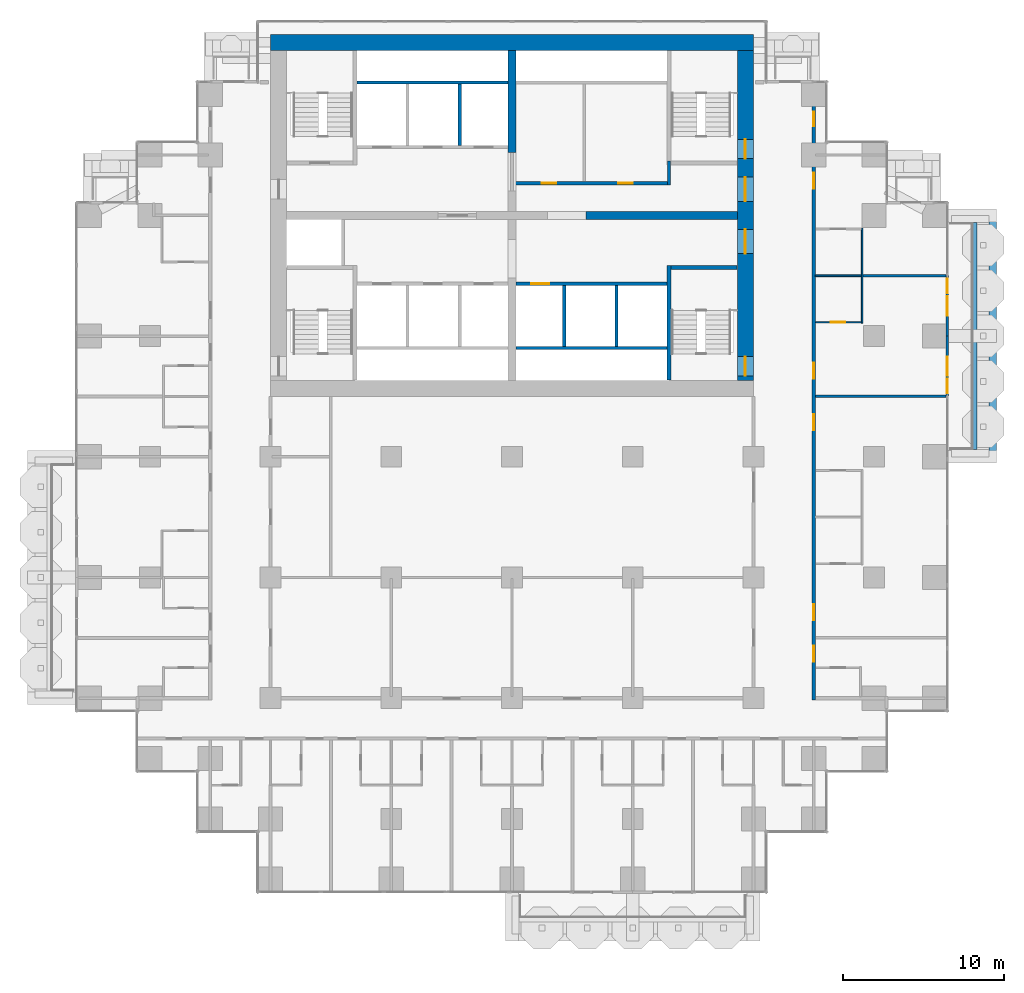
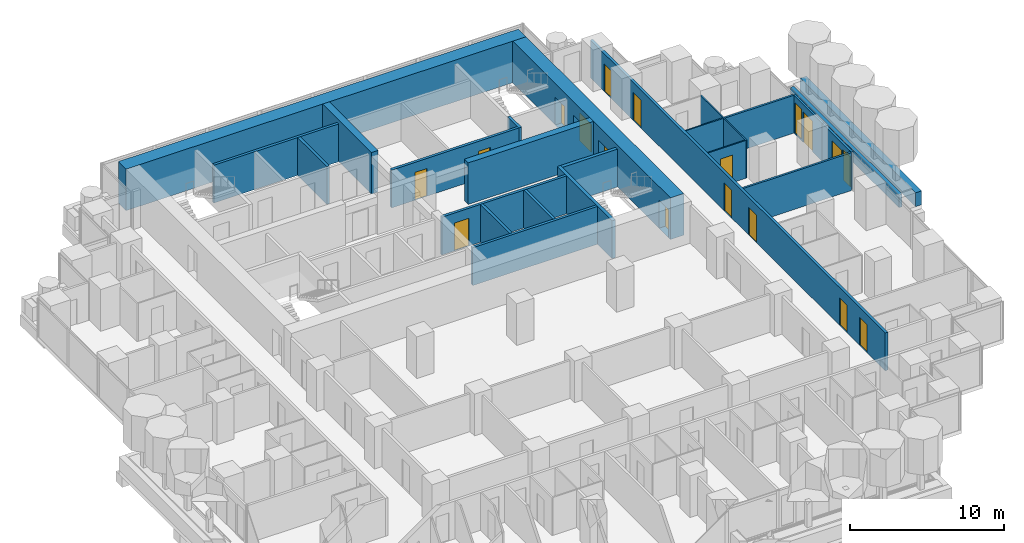
# One storey, part 15 of 19: 24 walls, 16 doors, 2 windows, 18 openings.
"""IFC4 building model written with IfcOpenShell, lengths in metres."""

import ifcopenshell
import ifcopenshell.guid

model = None  # the IFC model being written
_history = None  # IfcOwnerHistory: only IFC2X3 demands one
_inside = {}  # id of a spatial element -> (the spatial element, [elements in it])
_under = {}  # id of a project, library or spatial element -> (it, [spatial elements below it])
_declared = {}  # id of a project -> (the project, [libraries it declares])
_typed = {}  # id of a type object -> (the type object, [elements of that type])
_made_of = {}  # id of a material, layer set ... -> (it, [elements and type objects made of it])


def new_model(schema):
    """Start an empty IFC model of exactly this schema.

    Asked for "IFC4X3", IfcOpenShell would pick the latest addendum, in which some entities
    have other attributes; the version numbers below select the first issue.
    IFC2X3 requires an IfcOwnerHistory on every rooted entity: one is made here for all.
    """
    global model, _history
    if schema == "IFC4X3":
        model = ifcopenshell.file(schema_version=(4, 3, 0, 0))
    else:
        model = ifcopenshell.file(schema=schema)
    _inside.clear()
    _under.clear()
    _declared.clear()
    _typed.clear()
    _made_of.clear()
    _history = None
    if model.schema == "IFC2X3":
        org = make("IfcOrganization", Name="unknown")
        user = make(
            "IfcPersonAndOrganization",
            ThePerson=make("IfcPerson", FamilyName="unknown"),
            TheOrganization=org,
        )
        app = make(
            "IfcApplication",
            ApplicationDeveloper=org,
            Version="unknown",
            ApplicationFullName="unknown",
            ApplicationIdentifier="unknown",
        )
        _history = make(
            "IfcOwnerHistory",
            OwningUser=user,
            OwningApplication=app,
            ChangeAction="ADDED",
            CreationDate=0,
        )
    return model


def make(cls, **values):
    """One entity of the class cls with the attributes given. An attribute that is None is left unset."""
    return model.create_entity(
        cls, **{name: value for name, value in values.items() if value is not None}
    )


def rooted(cls, **values):
    """An entity with a GlobalId (a new one), such as an element, a storey or a relation."""
    return make(cls, GlobalId=ifcopenshell.guid.new(), OwnerHistory=_history, **values)


def si_unit(unit_type, name, prefix=None):
    """IfcSIUnit, for example si_unit("LENGTHUNIT", "METRE", prefix="MILLI")."""
    return make("IfcSIUnit", UnitType=unit_type, Prefix=prefix, Name=name)


def assignment(units):
    """IfcUnitAssignment: the units of a project."""
    return None if units is None else make("IfcUnitAssignment", Units=units)


def point(xyz):
    """IfcCartesianPoint."""
    return None if xyz is None else make("IfcCartesianPoint", Coordinates=xyz)


def direction(xyz):
    """IfcDirection."""
    return None if xyz is None else make("IfcDirection", DirectionRatios=xyz)


def frame(location, z_axis=None, x_axis=None):
    """IfcAxis2Placement3D, a coordinate frame: its origin and axes. An axis left out is left unset."""
    return make(
        "IfcAxis2Placement3D",
        Location=point(location),
        Axis=direction(z_axis),
        RefDirection=direction(x_axis),
    )


def frame_2d(location, x_axis=None):
    """IfcAxis2Placement2D, a coordinate frame in the plane: its origin and x axis."""
    return make(
        "IfcAxis2Placement2D", Location=point(location), RefDirection=direction(x_axis)
    )


def origin():
    """The frame at (0, 0, 0) with its axes left unset."""
    return frame((0.0, 0.0, 0.0))


def place(relative_to, where):
    """IfcLocalPlacement: puts the frame where relative to a parent placement (None: the world)."""
    return make(
        "IfcLocalPlacement", PlacementRelTo=relative_to, RelativePlacement=where
    )


def context(
    kind, dimensions, precision=None, world=None, true_north=None, identifier=None
):
    """IfcGeometricRepresentationContext, for example the 3D "Model" context."""
    return make(
        "IfcGeometricRepresentationContext",
        ContextIdentifier=identifier,
        ContextType=kind,
        CoordinateSpaceDimension=dimensions,
        Precision=precision,
        WorldCoordinateSystem=world,
        TrueNorth=true_north,
    )


def subcontext(parent, identifier, kind, view, scale=None):
    """IfcGeometricRepresentationSubContext, for example "Body" below "Model"."""
    return make(
        "IfcGeometricRepresentationSubContext",
        ContextIdentifier=identifier,
        ContextType=kind,
        ParentContext=parent,
        TargetScale=scale,
        TargetView=view,
    )


def project(units=None, contexts=None):
    """IfcProject with its units and contexts."""
    return rooted(
        "IfcProject",
        Name="project",
        RepresentationContexts=contexts,
        UnitsInContext=assignment(units),
    )


def spatial(cls, under=None, at=None, **own):
    """A site, building, storey or space (cls), placed at a placement, below another one or the project."""
    s = rooted(cls, ObjectPlacement=at, **own)
    if under is not None:
        _under.setdefault(under.id(), (under, []))[1].append(s)
    return s


def profile(cls, at=None, kind="AREA", **sizes):
    """A parametric profile (cls). Its sizes go by their IFC names, for example OverallWidth=200.0."""
    return make(cls, ProfileType=kind, Position=at, **sizes)


def rectangle(**sizes):
    """IfcRectangleProfileDef."""
    return profile("IfcRectangleProfileDef", **sizes)


def extrude(swept, where, along, depth):
    """IfcExtrudedAreaSolid: the profile swept, set in the frame where, extruded along a direction by depth."""
    return make(
        "IfcExtrudedAreaSolid",
        SweptArea=swept,
        Position=where,
        ExtrudedDirection=direction(along),
        Depth=depth,
    )


def shape(context_of_items, identifier, shape_type, items):
    """IfcShapeRepresentation: the items that make up one representation, for example the "Body"."""
    return make(
        "IfcShapeRepresentation",
        ContextOfItems=context_of_items,
        RepresentationIdentifier=identifier,
        RepresentationType=shape_type,
        Items=items,
    )


def material(Name=None, Category=None):
    """IfcMaterial."""
    return make("IfcMaterial", Name=Name, Category=Category)


def layer(
    of_material, thickness, ventilated=None, Name=None, Category=None, Priority=None
):
    """IfcMaterialLayer: one layer of a wall or slab, of a material (None: an air gap)."""
    return make(
        "IfcMaterialLayer",
        Material=of_material,
        LayerThickness=thickness,
        IsVentilated=ventilated,
        Name=Name,
        Category=Category,
        Priority=Priority,
    )


def layer_set(layers, Name=None):
    """IfcMaterialLayerSet."""
    return make("IfcMaterialLayerSet", MaterialLayers=layers, LayerSetName=Name)


def made_of(thing, what):
    """Note that an element or type object is made of a material, layer set ...; save() writes the relation."""
    if what is not None:
        _made_of.setdefault(what.id(), (what, []))[1].append(thing)
    return thing


def type_object(cls, material=None, **own):
    """A type object (cls), such as IfcWallType, which elements share."""
    return made_of(rooted(cls, **own), material)


def element(
    cls,
    number,
    at=None,
    inside=None,
    cuts=None,
    type_object=None,
    material=None,
    context=None,
    identifier="Body",
    shape_type=None,
    held_by="IfcProductDefinitionShape",
    body=None,
    shapes=None,
    **own,
):
    """One element of the class cls, such as IfcWall. Its Tag is "e" and its number.

    at: its placement. inside: the storey or other place that contains it. cuts: it is an
    opening in that element (IfcRelVoidsElement). A single representation is given by context,
    identifier, shape_type and body (its items); several are given by shapes. held_by: the class
    of the entity that holds the representations. save() writes the other relations.
    """
    e = rooted(cls, Tag="e%d" % number, ObjectPlacement=at, **own)
    if body is not None:
        shapes = [shape(context, identifier, shape_type, body)]
    if shapes is not None:
        e.Representation = make(held_by, Representations=shapes)
    if inside is not None:
        _inside.setdefault(inside.id(), (inside, []))[1].append(e)
    if cuts is not None:
        rooted(
            "IfcRelVoidsElement", RelatingBuildingElement=cuts, RelatedOpeningElement=e
        )
    if type_object is not None:
        _typed.setdefault(type_object.id(), (type_object, []))[1].append(e)
    return made_of(e, material)


def fill(opening, filler):
    """IfcRelFillsElement: the door or window that sits in an opening."""
    return rooted(
        "IfcRelFillsElement",
        RelatingOpeningElement=opening,
        RelatedBuildingElement=filler,
    )


def aggregate(whole, parts):
    """IfcRelAggregates: a whole, such as a stair, and the parts it consists of."""
    return rooted("IfcRelAggregates", RelatingObject=whole, RelatedObjects=parts)


def save(model, path):
    """Write the relations noted so far, then the file.

    IfcRelAggregates (storeys below a building ...), IfcRelContainedInSpatialStructure (elements
    in a storey), IfcRelDefinesByType, IfcRelAssociatesMaterial and IfcRelDeclares: one each for
    every whole, place, type object, material and project.
    """
    for whole, parts in _under.values():
        aggregate(whole, parts)
    for where, things in _inside.values():
        rooted(
            "IfcRelContainedInSpatialStructure",
            RelatedElements=things,
            RelatingStructure=where,
        )
    for kind, things in _typed.values():
        rooted("IfcRelDefinesByType", RelatedObjects=things, RelatingType=kind)
    for what, things in _made_of.values():
        rooted("IfcRelAssociatesMaterial", RelatedObjects=things, RelatingMaterial=what)
    for by, libraries in _declared.values():
        rooted("IfcRelDeclares", RelatingContext=by, RelatedDefinitions=libraries)
    model.write(path)


model = new_model("IFC4")

# Units and contexts
model_context = context("Model", 3, precision=1e-05, world=origin(), true_north=direction((0.0, 1.0)))
body_context = subcontext(model_context, "Body", "Model", "MODEL_VIEW")
ifc_project = project(units=[si_unit("LENGTHUNIT", "METRE"), si_unit("AREAUNIT", "SQUARE_METRE"), si_unit("VOLUMEUNIT", "CUBIC_METRE"), si_unit("PLANEANGLEUNIT", "RADIAN"), si_unit("MASSUNIT", "GRAM", prefix="KILO")], contexts=[model_context])

# Site, building, storey
site_placement = place(None, origin())
site = spatial("IfcSite", under=ifc_project, at=site_placement, CompositionType="ELEMENT")
building_placement = place(site_placement, origin())
building = spatial("IfcBuilding", under=site, at=building_placement, Name="Pilkhan Gate Tower", CompositionType="ELEMENT")
storey_placement = place(building_placement, frame((0.0, 0.0, 65.89990234375)))
storey = spatial("IfcBuildingStorey", under=building, at=storey_placement, Name="L14", CompositionType="ELEMENT", Elevation=65.89990234375)

# Walls
ifc_material_1 = material(Name="Concrete C40/50", Category="concrete")
ifc_layer_1 = layer(ifc_material_1, 0.25)
ifc_layer_set_1 = layer_set([ifc_layer_1], Name="Balcony planter BP250")
wall_type_1 = type_object("IfcWallType", Name="Balcony planter BP250", PredefinedType="USERDEFINED", material=ifc_layer_set_1)
wall_1_placement = place(storey_placement, frame((103.77490234375, 67.949951171875, 0.0), z_axis=(0.0, 0.0, 1.0), x_axis=(0.0, 1.0, 0.0)))
element("IfcWall", 1, at=wall_1_placement, inside=storey, type_object=wall_type_1, Name="Balcony planter L14 E", ObjectType="BALCONY PLANTER", PredefinedType="USERDEFINED", context=body_context, shape_type="SweptSolid", body=[
    extrude(rectangle(XDim=14.10009765625, YDim=0.25, at=frame_2d((7.050048828125, 0.0))), origin(), (0.0, 0.0, 1.0), 1.0),
])
ifc_material_2 = material(Name="Board-marked Concrete C40/50", Category="concrete")
ifc_layer_2 = layer(ifc_material_2, 0.449951171875)
ifc_layer_set_2 = layer_set([ifc_layer_2], Name="Balcony planter lip BL450")
wall_type_2 = type_object("IfcWallType", Name="Balcony planter lip BL450", PredefinedType="USERDEFINED", material=ifc_layer_set_2)
wall_2_placement = place(storey_placement, frame((104.875, 67.5, 0.0), z_axis=(0.0, 0.0, 1.0), x_axis=(0.0, 1.0, 0.0)))
element("IfcWall", 2, at=wall_2_placement, inside=storey, type_object=wall_type_2, Name="Balcony planter L14 E", ObjectType="BALCONY PLANTER", PredefinedType="USERDEFINED", context=body_context, shape_type="SweptSolid", body=[
    extrude(rectangle(XDim=15.0, YDim=0.449951171875, at=frame_2d((7.5, 0.0))), origin(), (0.0, 0.0, 1.0), 1.10009765625),
])

# Wall, openings, doors
ifc_material_3 = material(Name="Concrete C70/85", Category="concrete")
ifc_layer_3 = layer(ifc_material_3, 1.0)
ifc_layer_set_3 = layer_set([ifc_layer_3], Name="Core wall CW1000 C70/85")
wall_type_3 = type_object("IfcWallType", Name="Core wall CW1000 C70/85", PredefinedType="SHEAR", material=ifc_layer_set_3)
wall_3_placement = place(storey_placement, frame((89.5, 72.25, 0.0), z_axis=(0.0, 0.0, 1.0), x_axis=(0.0, 1.0, 0.0)))
wall_3 = element("IfcWall", 3, at=wall_3_placement, inside=storey, type_object=wall_type_3, Name="Core wall E L14", PredefinedType="SHEAR", context=body_context, shape_type="SweptSolid", body=[
    extrude(rectangle(XDim=20.5, YDim=1.0, at=frame_2d((10.25, 0.0))), origin(), (0.0, 0.0, 1.0), 3.300048828125),
])
opening_1_placement = place(wall_3_placement, frame((0.27490234375, 0.0, 0.0)))
opening_1 = element("IfcOpeningElement", 4, at=opening_1_placement, cuts=wall_3, Name="Opening L14-03", PredefinedType="OPENING", context=body_context, shape_type="SweptSolid", body=[
    extrude(rectangle(XDim=1.199951171875, YDim=2.199951171875, at=frame_2d((0.60009765625, 1.10009765625))), frame((0.0, 0.510009765625, 0.0), z_axis=(0.0, -1.0, 0.0), x_axis=(1.0, 0.0, 0.0)), (0.0, 0.0, 1.0), 1.02001953125),
])
opening_2_placement = place(wall_3_placement, frame((13.77490234375, 0.0, 0.0)))
opening_2 = element("IfcOpeningElement", 5, at=opening_2_placement, cuts=wall_3, Name="Opening L14-05", PredefinedType="OPENING", context=body_context, shape_type="SweptSolid", body=[
    extrude(rectangle(XDim=1.199951171875, YDim=2.199951171875, at=frame_2d((0.60009765625, 1.10009765625))), frame((0.0, 0.510009765625, 0.0), z_axis=(0.0, -1.0, 0.0), x_axis=(1.0, 0.0, 0.0)), (0.0, 0.0, 1.0), 1.02001953125),
])
opening_3_placement = place(wall_3_placement, frame((7.875, 0.0, 0.0)))
opening_3 = element("IfcOpeningElement", 6, at=opening_3_placement, cuts=wall_3, Name="Opening L14-48", PredefinedType="OPENING", context=body_context, shape_type="SweptSolid", body=[
    extrude(rectangle(XDim=1.5, YDim=2.199951171875, at=frame_2d((0.75, 1.10009765625))), frame((0.0, 0.510009765625, 0.0), z_axis=(0.0, -1.0, 0.0), x_axis=(1.0, 0.0, 0.0)), (0.0, 0.0, 1.0), 1.02001953125),
])
opening_4_placement = place(wall_3_placement, frame((11.125, 0.0, 0.0)))
opening_4 = element("IfcOpeningElement", 7, at=opening_4_placement, cuts=wall_3, Name="Opening L14-50", PredefinedType="OPENING", context=body_context, shape_type="SweptSolid", body=[
    extrude(rectangle(XDim=1.5, YDim=2.199951171875, at=frame_2d((0.75, 1.10009765625))), frame((0.0, 0.510009765625, 0.0), z_axis=(0.0, -1.0, 0.0), x_axis=(1.0, 0.0, 0.0)), (0.0, 0.0, 1.0), 1.02001953125),
])
ifc_material_4 = material(Name="Steel framed glazed door, 60 minute fire resisting", Category="steel")
door_type_1 = type_object("IfcDoorType", Name="Lobby door D09 1500x2200", OperationType="DOUBLE_DOOR_SINGLE_SWING", PredefinedType="DOOR", material=ifc_material_4)
door_1_placement = place(opening_3_placement, origin())
door_1 = element("IfcDoor", 8, at=door_1_placement, inside=storey, type_object=door_type_1, Name="Core door", OperationType="DOUBLE_DOOR_SINGLE_SWING", OverallHeight=2.199951171875, OverallWidth=1.5, PredefinedType="DOOR", context=body_context, shape_type="SweptSolid", body=[
    extrude(rectangle(XDim=1.5, YDim=2.199951171875, at=frame_2d((0.75, 1.10009765625))), frame((0.0, 0.02490234375, 0.0), z_axis=(0.0, -1.0, 0.0), x_axis=(1.0, 0.0, 0.0)), (0.0, 0.0, 1.0), 0.050048828125),
])
fill(opening_3, door_1)
door_2_placement = place(opening_4_placement, origin())
door_2 = element("IfcDoor", 9, at=door_2_placement, inside=storey, type_object=door_type_1, Name="Core door", OperationType="DOUBLE_DOOR_SINGLE_SWING", OverallHeight=2.199951171875, OverallWidth=1.5, PredefinedType="DOOR", context=body_context, shape_type="SweptSolid", body=[
    extrude(rectangle(XDim=1.5, YDim=2.199951171875, at=frame_2d((0.75, 1.10009765625))), frame((0.0, 0.02490234375, 0.0), z_axis=(0.0, -1.0, 0.0), x_axis=(1.0, 0.0, 0.0)), (0.0, 0.0, 1.0), 0.050048828125),
])
fill(opening_4, door_2)
ifc_material_5 = material(Name="Steel door, 120 minute fire resisting, panic bar", Category="steel")
door_type_2 = type_object("IfcDoorType", Name="Stair door D11 1200x2200", OperationType="SINGLE_SWING_LEFT", PredefinedType="DOOR", material=ifc_material_5)
door_3_placement = place(opening_1_placement, origin())
door_3 = element("IfcDoor", 10, at=door_3_placement, inside=storey, type_object=door_type_2, Name="Stair ST1 door", OperationType="SINGLE_SWING_LEFT", OverallHeight=2.199951171875, OverallWidth=1.199951171875, PredefinedType="DOOR", context=body_context, shape_type="SweptSolid", body=[
    extrude(rectangle(XDim=1.199951171875, YDim=2.199951171875, at=frame_2d((0.60009765625, 1.10009765625))), frame((0.0, 0.02490234375, 0.0), z_axis=(0.0, -1.0, 0.0), x_axis=(1.0, 0.0, 0.0)), (0.0, 0.0, 1.0), 0.050048828125),
])
fill(opening_1, door_3)
door_4_placement = place(opening_2_placement, origin())
door_4 = element("IfcDoor", 11, at=door_4_placement, inside=storey, type_object=door_type_2, Name="Stair ST4 door", OperationType="SINGLE_SWING_LEFT", OverallHeight=2.199951171875, OverallWidth=1.199951171875, PredefinedType="DOOR", context=body_context, shape_type="SweptSolid", body=[
    extrude(rectangle(XDim=1.199951171875, YDim=2.199951171875, at=frame_2d((0.60009765625, 1.10009765625))), frame((0.0, 0.02490234375, 0.0), z_axis=(0.0, -1.0, 0.0), x_axis=(1.0, 0.0, 0.0)), (0.0, 0.0, 1.0), 0.050048828125),
])
fill(opening_2, door_4)

# Wall
wall_4_placement = place(storey_placement, frame((90.0, 93.25, 0.0), z_axis=(0.0, 0.0, 1.0), x_axis=(-1.0, 0.0, 0.0)))
element("IfcWall", 12, at=wall_4_placement, inside=storey, type_object=wall_type_3, Name="Core wall N L14", PredefinedType="SHEAR", context=body_context, shape_type="SweptSolid", body=[
    extrude(rectangle(XDim=30.0, YDim=1.0, at=frame_2d((15.0, 0.0))), origin(), (0.0, 0.0, 1.0), 3.300048828125),
])

# Wall, openings, doors
ifc_material_6 = material(Name="Dense blockwork", Category="masonry")
ifc_layer_4 = layer(ifc_material_6, 0.199951171875)
ifc_layer_set_4 = layer_set([ifc_layer_4], Name="Corridor wall FW200")
wall_type_4 = type_object("IfcWallType", Name="Corridor wall FW200", PredefinedType="PARTITIONING", material=ifc_layer_set_4)
wall_5_placement = place(storey_placement, frame((93.75, 52.39990234375, 0.0), z_axis=(0.0, 0.0, 1.0), x_axis=(0.0, 1.0, 0.0)))
wall_5 = element("IfcWall", 13, at=wall_5_placement, inside=storey, type_object=wall_type_4, Name="Partition L14", PredefinedType="PARTITIONING", context=body_context, shape_type="SweptSolid", body=[
    extrude(rectangle(XDim=38.31005859375, YDim=0.199951171875, at=frame_2d((19.155029296875, 0.0))), origin(), (0.0, 0.0, 1.0), 3.0),
])
opening_5_placement = place(wall_5_placement, frame((2.35009765625, 0.0, 0.0)))
opening_5 = element("IfcOpeningElement", 14, at=opening_5_placement, cuts=wall_5, Name="Opening L14-38", PredefinedType="OPENING", context=body_context, shape_type="SweptSolid", body=[
    extrude(rectangle(XDim=1.0, YDim=2.199951171875, at=frame_2d((0.5, 1.10009765625))), frame((0.0, 0.10986328125, 0.0), z_axis=(0.0, -1.0, 0.0), x_axis=(1.0, 0.0, 0.0)), (0.0, 0.0, 1.0), 0.219970703125),
])
opening_6_placement = place(wall_5_placement, frame((4.949951171875, 0.0, 0.0)))
opening_6 = element("IfcOpeningElement", 15, at=opening_6_placement, cuts=wall_5, Name="Opening L14-40", PredefinedType="OPENING", context=body_context, shape_type="SweptSolid", body=[
    extrude(rectangle(XDim=1.0, YDim=2.199951171875, at=frame_2d((0.5, 1.10009765625))), frame((0.0, 0.10986328125, 0.0), z_axis=(0.0, -1.0, 0.0), x_axis=(1.0, 0.0, 0.0)), (0.0, 0.0, 1.0), 0.219970703125),
])
opening_7_placement = place(wall_5_placement, frame((16.75, 0.0, 0.0)))
opening_7 = element("IfcOpeningElement", 16, at=opening_7_placement, cuts=wall_5, Name="Opening L14-42", PredefinedType="OPENING", context=body_context, shape_type="SweptSolid", body=[
    extrude(rectangle(XDim=1.0, YDim=2.199951171875, at=frame_2d((0.5, 1.10009765625))), frame((0.0, 0.10986328125, 0.0), z_axis=(0.0, -1.0, 0.0), x_axis=(1.0, 0.0, 0.0)), (0.0, 0.0, 1.0), 0.219970703125),
])
opening_8_placement = place(wall_5_placement, frame((19.949951171875, 0.0, 0.0)))
opening_8 = element("IfcOpeningElement", 17, at=opening_8_placement, cuts=wall_5, Name="Opening L14-44", PredefinedType="OPENING", context=body_context, shape_type="SweptSolid", body=[
    extrude(rectangle(XDim=1.0, YDim=2.199951171875, at=frame_2d((0.5, 1.10009765625))), frame((0.0, 0.10986328125, 0.0), z_axis=(0.0, -1.0, 0.0), x_axis=(1.0, 0.0, 0.0)), (0.0, 0.0, 1.0), 0.219970703125),
])
opening_9_placement = place(wall_5_placement, frame((31.75, 0.0, 0.0)))
opening_9 = element("IfcOpeningElement", 18, at=opening_9_placement, cuts=wall_5, Name="Opening L14-46", PredefinedType="OPENING", context=body_context, shape_type="SweptSolid", body=[
    extrude(rectangle(XDim=1.0, YDim=2.199951171875, at=frame_2d((0.5, 1.10009765625))), frame((0.0, 0.10986328125, 0.0), z_axis=(0.0, -1.0, 0.0), x_axis=(1.0, 0.0, 0.0)), (0.0, 0.0, 1.0), 0.219970703125),
])
opening_10_placement = place(wall_5_placement, frame((35.64990234375, 0.0, 0.0)))
opening_10 = element("IfcOpeningElement", 19, at=opening_10_placement, cuts=wall_5, Name="Opening L14-57", PredefinedType="OPENING", context=body_context, shape_type="SweptSolid", body=[
    extrude(rectangle(XDim=0.89990234375, YDim=2.199951171875, at=frame_2d((0.449951171875, 1.10009765625))), frame((0.0, 0.10986328125, 0.0), z_axis=(0.0, -1.0, 0.0), x_axis=(1.0, 0.0, 0.0)), (0.0, 0.0, 1.0), 0.219970703125),
])
ifc_material_7 = material(Name="Timber flush door, 30 minute fire resisting", Category="wood")
door_type_3 = type_object("IfcDoorType", Name="Guest room door D01 1000x2200", OperationType="SINGLE_SWING_LEFT", PredefinedType="DOOR", material=ifc_material_7)
door_5_placement = place(opening_5_placement, origin())
door_5 = element("IfcDoor", 20, at=door_5_placement, inside=storey, type_object=door_type_3, Name="Guest room door", OperationType="SINGLE_SWING_RIGHT", OverallHeight=2.199951171875, OverallWidth=1.0, PredefinedType="DOOR", context=body_context, shape_type="SweptSolid", body=[
    extrude(rectangle(XDim=1.0, YDim=2.199951171875, at=frame_2d((0.5, 1.10009765625))), frame((0.0, 0.02490234375, 0.0), z_axis=(0.0, -1.0, 0.0), x_axis=(1.0, 0.0, 0.0)), (0.0, 0.0, 1.0), 0.050048828125),
])
fill(opening_5, door_5)
door_6_placement = place(opening_6_placement, origin())
door_6 = element("IfcDoor", 21, at=door_6_placement, inside=storey, type_object=door_type_3, Name="Guest room door", OperationType="SINGLE_SWING_LEFT", OverallHeight=2.199951171875, OverallWidth=1.0, PredefinedType="DOOR", context=body_context, shape_type="SweptSolid", body=[
    extrude(rectangle(XDim=1.0, YDim=2.199951171875, at=frame_2d((0.5, 1.10009765625))), frame((0.0, 0.02490234375, 0.0), z_axis=(0.0, -1.0, 0.0), x_axis=(1.0, 0.0, 0.0)), (0.0, 0.0, 1.0), 0.050048828125),
])
fill(opening_6, door_6)
door_7_placement = place(opening_7_placement, origin())
door_7 = element("IfcDoor", 22, at=door_7_placement, inside=storey, type_object=door_type_3, Name="Guest room door", OperationType="SINGLE_SWING_RIGHT", OverallHeight=2.199951171875, OverallWidth=1.0, PredefinedType="DOOR", context=body_context, shape_type="SweptSolid", body=[
    extrude(rectangle(XDim=1.0, YDim=2.199951171875, at=frame_2d((0.5, 1.10009765625))), frame((0.0, 0.02490234375, 0.0), z_axis=(0.0, -1.0, 0.0), x_axis=(1.0, 0.0, 0.0)), (0.0, 0.0, 1.0), 0.050048828125),
])
fill(opening_7, door_7)
door_8_placement = place(opening_8_placement, origin())
door_8 = element("IfcDoor", 23, at=door_8_placement, inside=storey, type_object=door_type_3, Name="Guest room door", OperationType="SINGLE_SWING_LEFT", OverallHeight=2.199951171875, OverallWidth=1.0, PredefinedType="DOOR", context=body_context, shape_type="SweptSolid", body=[
    extrude(rectangle(XDim=1.0, YDim=2.199951171875, at=frame_2d((0.5, 1.10009765625))), frame((0.0, 0.02490234375, 0.0), z_axis=(0.0, -1.0, 0.0), x_axis=(1.0, 0.0, 0.0)), (0.0, 0.0, 1.0), 0.050048828125),
])
fill(opening_8, door_8)
door_9_placement = place(opening_9_placement, origin())
door_9 = element("IfcDoor", 24, at=door_9_placement, inside=storey, type_object=door_type_3, Name="Guest room door", OperationType="SINGLE_SWING_LEFT", OverallHeight=2.199951171875, OverallWidth=1.0, PredefinedType="DOOR", context=body_context, shape_type="SweptSolid", body=[
    extrude(rectangle(XDim=1.0, YDim=2.199951171875, at=frame_2d((0.5, 1.10009765625))), frame((0.0, 0.02490234375, 0.0), z_axis=(0.0, -1.0, 0.0), x_axis=(1.0, 0.0, 0.0)), (0.0, 0.0, 1.0), 0.050048828125),
])
fill(opening_9, door_9)
ifc_material_8 = material(Name="Timber flush door, 60 minute fire resisting, self-closing", Category="wood")
door_type_4 = type_object("IfcDoorType", Name="Store door D05 900x2200", OperationType="SINGLE_SWING_LEFT", PredefinedType="DOOR", material=ifc_material_8)
door_10_placement = place(opening_10_placement, origin())
door_10 = element("IfcDoor", 25, at=door_10_placement, inside=storey, type_object=door_type_4, Name="Store door", OperationType="SINGLE_SWING_RIGHT", OverallHeight=2.199951171875, OverallWidth=0.89990234375, PredefinedType="DOOR", context=body_context, shape_type="SweptSolid", body=[
    extrude(rectangle(XDim=0.89990234375, YDim=2.199951171875, at=frame_2d((0.449951171875, 1.10009765625))), frame((0.0, 0.02490234375, 0.0), z_axis=(0.0, -1.0, 0.0), x_axis=(1.0, 0.0, 0.0)), (0.0, 0.0, 1.0), 0.050048828125),
])
fill(opening_10, door_10)

# Wall, openings, door, window
ifc_material_9 = material(Name="Pale anodised aluminium, clear laminated glazing", Category="aluminium")
ifc_layer_5 = layer(ifc_material_9, 0.14990234375)
ifc_layer_set_5 = layer_set([ifc_layer_5], Name="Facade infill wall IW150")
wall_type_5 = type_object("IfcWallType", Name="Facade infill wall IW150", PredefinedType="SOLIDWALL", material=ifc_layer_set_5)
wall_6_placement = place(storey_placement, frame((102.044921875, 71.25, 0.0), z_axis=(0.0, 0.0, 1.0), x_axis=(0.0, 1.0, 0.0)))
wall_6 = element("IfcWall", 26, at=wall_6_placement, inside=storey, type_object=wall_type_5, Name="Infill wall L14 E", PredefinedType="SOLIDWALL", context=body_context, shape_type="SweptSolid", body=[
    extrude(rectangle(XDim=3.75, YDim=0.14990234375, at=frame_2d((1.875, 0.0))), origin(), (0.0, 0.0, 1.0), 3.0),
])
opening_11_placement = place(wall_6_placement, frame((0.1875, 0.0, 0.10009765625)))
opening_11 = element("IfcOpeningElement", 27, at=opening_11_placement, cuts=wall_6, Name="Opening W1", PredefinedType="OPENING", context=body_context, shape_type="SweptSolid", body=[
    extrude(rectangle(XDim=0.89990234375, YDim=2.39990234375, at=frame_2d((0.449951171875, 1.199951171875))), frame((0.0, 0.0849609375, 0.0), z_axis=(0.0, -1.0, 0.0), x_axis=(1.0, 0.0, 0.0)), (0.0, 0.0, 1.0), 0.169921875),
])
opening_12_placement = place(wall_6_placement, frame((1.27490234375, 0.0, 0.0)))
opening_12 = element("IfcOpeningElement", 28, at=opening_12_placement, cuts=wall_6, Name="Opening D1", PredefinedType="OPENING", context=body_context, shape_type="SweptSolid", body=[
    extrude(rectangle(XDim=1.199951171875, YDim=2.39990234375, at=frame_2d((0.60009765625, 1.199951171875))), frame((0.0, 0.0849609375, 0.0), z_axis=(0.0, -1.0, 0.0), x_axis=(1.0, 0.0, 0.0)), (0.0, 0.0, 1.0), 0.169921875),
])
ifc_material_10 = material(Name="Pale anodised aluminium, clear glazing", Category="aluminium")
door_type_5 = type_object("IfcDoorType", Name="Balcony door D1 1200x2400", OperationType="SINGLE_SWING_LEFT", PredefinedType="DOOR", material=ifc_material_10)
door_11_placement = place(opening_12_placement, origin())
door_11 = element("IfcDoor", 29, at=door_11_placement, inside=storey, type_object=door_type_5, Name="Balcony door L14", OperationType="SINGLE_SWING_LEFT", OverallHeight=2.39990234375, OverallWidth=1.199951171875, PredefinedType="DOOR", context=body_context, shape_type="SweptSolid", body=[
    extrude(rectangle(XDim=1.199951171875, YDim=2.39990234375, at=frame_2d((0.60009765625, 1.199951171875))), frame((0.0, 0.02490234375, 0.0), z_axis=(0.0, -1.0, 0.0), x_axis=(1.0, 0.0, 0.0)), (0.0, 0.0, 1.0), 0.050048828125),
])
fill(opening_12, door_11)
ifc_material_11 = material(Name="Pale anodised aluminium, clear double glazing", Category="aluminium")
window_type = type_object("IfcWindowType", Name="Window W1 900x2400", PartitioningType="SINGLE_PANEL", PredefinedType="WINDOW", material=ifc_material_11)
window_1_placement = place(opening_11_placement, origin())
window_1 = element("IfcWindow", 30, at=window_1_placement, inside=storey, type_object=window_type, Name="Window L14", OverallHeight=2.39990234375, OverallWidth=0.89990234375, PartitioningType="SINGLE_PANEL", PredefinedType="WINDOW", context=body_context, shape_type="SweptSolid", body=[
    extrude(rectangle(XDim=0.89990234375, YDim=2.39990234375, at=frame_2d((0.449951171875, 1.199951171875))), frame((0.0, 0.030029296875, 0.0), z_axis=(0.0, -1.0, 0.0), x_axis=(1.0, 0.0, 0.0)), (0.0, 0.0, 1.0), 0.06005859375),
])
fill(opening_11, window_1)

wall_7_placement = place(storey_placement, frame((102.044921875, 75.0, 0.0), z_axis=(0.0, 0.0, 1.0), x_axis=(0.0, 1.0, 0.0)))
wall_7 = element("IfcWall", 31, at=wall_7_placement, inside=storey, type_object=wall_type_5, Name="Infill wall L14 E", PredefinedType="SOLIDWALL", context=body_context, shape_type="SweptSolid", body=[
    extrude(rectangle(XDim=3.75, YDim=0.14990234375, at=frame_2d((1.875, 0.0))), origin(), (0.0, 0.0, 1.0), 3.0),
])
opening_13_placement = place(wall_7_placement, frame((1.27490234375, 0.0, 0.0)))
opening_13 = element("IfcOpeningElement", 32, at=opening_13_placement, cuts=wall_7, Name="Opening D1", PredefinedType="OPENING", context=body_context, shape_type="SweptSolid", body=[
    extrude(rectangle(XDim=1.199951171875, YDim=2.39990234375, at=frame_2d((0.60009765625, 1.199951171875))), frame((0.0, 0.0849609375, 0.0), z_axis=(0.0, -1.0, 0.0), x_axis=(1.0, 0.0, 0.0)), (0.0, 0.0, 1.0), 0.169921875),
])
opening_14_placement = place(wall_7_placement, frame((2.66259765625, 0.0, 0.10009765625)))
opening_14 = element("IfcOpeningElement", 33, at=opening_14_placement, cuts=wall_7, Name="Opening W1", PredefinedType="OPENING", context=body_context, shape_type="SweptSolid", body=[
    extrude(rectangle(XDim=0.89990234375, YDim=2.39990234375, at=frame_2d((0.449951171875, 1.199951171875))), frame((0.0, 0.0849609375, 0.0), z_axis=(0.0, -1.0, 0.0), x_axis=(1.0, 0.0, 0.0)), (0.0, 0.0, 1.0), 0.169921875),
])
door_12_placement = place(opening_13_placement, origin())
door_12 = element("IfcDoor", 34, at=door_12_placement, inside=storey, type_object=door_type_5, Name="Balcony door L14", OperationType="SINGLE_SWING_LEFT", OverallHeight=2.39990234375, OverallWidth=1.199951171875, PredefinedType="DOOR", context=body_context, shape_type="SweptSolid", body=[
    extrude(rectangle(XDim=1.199951171875, YDim=2.39990234375, at=frame_2d((0.60009765625, 1.199951171875))), frame((0.0, 0.02490234375, 0.0), z_axis=(0.0, -1.0, 0.0), x_axis=(1.0, 0.0, 0.0)), (0.0, 0.0, 1.0), 0.050048828125),
])
fill(opening_13, door_12)
window_2_placement = place(opening_14_placement, origin())
window_2 = element("IfcWindow", 35, at=window_2_placement, inside=storey, type_object=window_type, Name="Window L14", OverallHeight=2.39990234375, OverallWidth=0.89990234375, PartitioningType="SINGLE_PANEL", PredefinedType="WINDOW", context=body_context, shape_type="SweptSolid", body=[
    extrude(rectangle(XDim=0.89990234375, YDim=2.39990234375, at=frame_2d((0.449951171875, 1.199951171875))), frame((0.0, 0.030029296875, 0.0), z_axis=(0.0, -1.0, 0.0), x_axis=(1.0, 0.0, 0.0)), (0.0, 0.0, 1.0), 0.06005859375),
])
fill(opening_14, window_2)

# Wall, openings, doors
ifc_layer_6 = layer(ifc_material_6, 0.199951171875)
ifc_layer_set_6 = layer_set([ifc_layer_6], Name="Lobby wall LW200")
wall_type_6 = type_object("IfcWallType", Name="Lobby wall LW200", PredefinedType="PARTITIONING", material=ifc_layer_set_6)
wall_8_placement = place(storey_placement, frame((75.10009765625, 84.5, 0.0), z_axis=(0.0, 0.0, 1.0), x_axis=(1.0, 0.0, 0.0)))
wall_8 = element("IfcWall", 36, at=wall_8_placement, inside=storey, type_object=wall_type_6, Name="Partition L14", PredefinedType="PARTITIONING", context=body_context, shape_type="SweptSolid", body=[
    extrude(rectangle(XDim=9.5498046875, YDim=0.199951171875, at=frame_2d((4.77490234375, 0.0))), origin(), (0.0, 0.0, 1.0), 3.0),
])
opening_15_placement = place(wall_8_placement, frame((1.75, 0.0, 0.0)))
opening_15 = element("IfcOpeningElement", 37, at=opening_15_placement, cuts=wall_8, Name="Opening L14-51", PredefinedType="OPENING", context=body_context, shape_type="SweptSolid", body=[
    extrude(rectangle(XDim=0.89990234375, YDim=2.199951171875, at=frame_2d((0.449951171875, 1.10009765625))), frame((0.0, 0.10986328125, 0.0), z_axis=(0.0, -1.0, 0.0), x_axis=(1.0, 0.0, 0.0)), (0.0, 0.0, 1.0), 0.219970703125),
])
opening_16_placement = place(wall_8_placement, frame((6.5, 0.0, 0.0)))
opening_16 = element("IfcOpeningElement", 38, at=opening_16_placement, cuts=wall_8, Name="Opening L14-52", PredefinedType="OPENING", context=body_context, shape_type="SweptSolid", body=[
    extrude(rectangle(XDim=0.89990234375, YDim=2.199951171875, at=frame_2d((0.449951171875, 1.10009765625))), frame((0.0, 0.10986328125, 0.0), z_axis=(0.0, -1.0, 0.0), x_axis=(1.0, 0.0, 0.0)), (0.0, 0.0, 1.0), 0.219970703125),
])
door_13_placement = place(opening_15_placement, origin())
door_13 = element("IfcDoor", 39, at=door_13_placement, inside=storey, type_object=door_type_4, Name="Store door", OperationType="SINGLE_SWING_LEFT", OverallHeight=2.199951171875, OverallWidth=0.89990234375, PredefinedType="DOOR", context=body_context, shape_type="SweptSolid", body=[
    extrude(rectangle(XDim=0.89990234375, YDim=2.199951171875, at=frame_2d((0.449951171875, 1.10009765625))), frame((0.0, 0.02490234375, 0.0), z_axis=(0.0, -1.0, 0.0), x_axis=(1.0, 0.0, 0.0)), (0.0, 0.0, 1.0), 0.050048828125),
])
fill(opening_15, door_13)
door_14_placement = place(opening_16_placement, origin())
door_14 = element("IfcDoor", 40, at=door_14_placement, inside=storey, type_object=door_type_4, Name="Store door", OperationType="SINGLE_SWING_LEFT", OverallHeight=2.199951171875, OverallWidth=0.89990234375, PredefinedType="DOOR", context=body_context, shape_type="SweptSolid", body=[
    extrude(rectangle(XDim=0.89990234375, YDim=2.199951171875, at=frame_2d((0.449951171875, 1.10009765625))), frame((0.0, 0.02490234375, 0.0), z_axis=(0.0, -1.0, 0.0), x_axis=(1.0, 0.0, 0.0)), (0.0, 0.0, 1.0), 0.050048828125),
])
fill(opening_16, door_14)

# Walls
wall_9_placement = place(storey_placement, frame((84.75, 84.39990234375, 0.0), z_axis=(0.0, 0.0, 1.0), x_axis=(0.0, 1.0, 0.0)))
element("IfcWall", 41, at=wall_9_placement, inside=storey, type_object=wall_type_6, Name="Partition L14", PredefinedType="PARTITIONING", context=body_context, shape_type="SweptSolid", body=[
    extrude(rectangle(XDim=1.47509765625, YDim=0.199951171875, at=frame_2d((0.737548828125, 0.0))), origin(), (0.0, 0.0, 1.0), 3.0),
])
ifc_material_12 = material(Name="Blockwork partition, plastered both sides", Category="masonry")
ifc_layer_7 = layer(ifc_material_12, 0.14990234375)
ifc_layer_set_7 = layer_set([ifc_layer_7], Name="Partition PW150")
wall_type_7 = type_object("IfcWallType", Name="Partition PW150", PredefinedType="PARTITIONING", material=ifc_layer_set_7)
wall_10_placement = place(storey_placement, frame((93.85009765625, 71.25, 0.0), z_axis=(0.0, 0.0, 1.0), x_axis=(1.0, 0.0, 0.0)))
element("IfcWall", 42, at=wall_10_placement, inside=storey, type_object=wall_type_7, Name="Partition L14", PredefinedType="PARTITIONING", context=body_context, shape_type="SweptSolid", body=[
    extrude(rectangle(XDim=8.10986328125, YDim=0.14990234375, at=frame_2d((4.054931640625, 0.0))), origin(), (0.0, 0.0, 1.0), 3.0),
])
wall_11_placement = place(storey_placement, frame((96.800048828125, 78.75, 0.0), z_axis=(0.0, 0.0, 1.0), x_axis=(1.0, 0.0, 0.0)))
element("IfcWall", 43, at=wall_11_placement, inside=storey, type_object=wall_type_7, Name="Partition L14", PredefinedType="PARTITIONING", context=body_context, shape_type="SweptSolid", body=[
    extrude(rectangle(XDim=5.159912109375, YDim=0.14990234375, at=frame_2d((2.580078125, 0.0))), origin(), (0.0, 0.0, 1.0), 3.0),
])
ifc_material_13 = material(Name="Reinforced blockwork shaft wall, 120 minute fire resisting", Category="masonry")
ifc_layer_8 = layer(ifc_material_13, 0.199951171875)
ifc_layer_set_8 = layer_set([ifc_layer_8], Name="Shaft wall SW200")
wall_type_8 = type_object("IfcWallType", Name="Shaft wall SW200", PredefinedType="PARTITIONING", material=ifc_layer_set_8)
wall_12_placement = place(storey_placement, frame((75.260009765625, 74.25, 0.0), z_axis=(0.0, 0.0, 1.0), x_axis=(1.0, 0.0, 0.0)))
element("IfcWall", 44, at=wall_12_placement, inside=storey, type_object=wall_type_8, Name="Partition L14", PredefinedType="PARTITIONING", context=body_context, shape_type="SweptSolid", body=[
    extrude(rectangle(XDim=9.364990234375, YDim=0.199951171875, at=frame_2d((4.6826171875, 0.0))), origin(), (0.0, 0.0, 1.0), 3.0),
])

# Wall, opening, door
wall_13_placement = place(storey_placement, frame((75.260009765625, 78.25, 0.0), z_axis=(0.0, 0.0, 1.0), x_axis=(1.0, 0.0, 0.0)))
wall_13 = element("IfcWall", 45, at=wall_13_placement, inside=storey, type_object=wall_type_8, Name="Partition L14", PredefinedType="PARTITIONING", context=body_context, shape_type="SweptSolid", body=[
    extrude(rectangle(XDim=9.364990234375, YDim=0.199951171875, at=frame_2d((4.6826171875, 0.0))), origin(), (0.0, 0.0, 1.0), 3.0),
])
opening_17_placement = place(wall_13_placement, frame((0.949951171875, 0.0, 0.0)))
opening_17 = element("IfcOpeningElement", 46, at=opening_17_placement, cuts=wall_13, Name="Opening LD", PredefinedType="OPENING", context=body_context, shape_type="SweptSolid", body=[
    extrude(rectangle(XDim=1.10009765625, YDim=2.199951171875, at=frame_2d((0.550048828125, 1.10009765625))), frame((0.0, 0.10986328125, 0.0), z_axis=(0.0, -1.0, 0.0), x_axis=(1.0, 0.0, 0.0)), (0.0, 0.0, 1.0), 0.219970703125),
])
ifc_material_14 = material(Name="Stainless steel centre-opening landing door, 120 minute fire resisting", Category="steel")
door_type_6 = type_object("IfcDoorType", Name="Lift landing door LD 1100x2200", OperationType="DOUBLE_DOOR_SLIDING", PredefinedType="DOOR", material=ifc_material_14)
door_15_placement = place(opening_17_placement, origin())
door_15 = element("IfcDoor", 47, at=door_15_placement, inside=storey, type_object=door_type_6, Name="Landing door LR4", OperationType="DOUBLE_DOOR_SLIDING", OverallHeight=2.199951171875, OverallWidth=1.10009765625, PredefinedType="DOOR", context=body_context, shape_type="SweptSolid", body=[
    extrude(rectangle(XDim=1.10009765625, YDim=2.199951171875, at=frame_2d((0.550048828125, 1.10009765625))), frame((0.0, 0.02490234375, 0.0), z_axis=(0.0, -1.0, 0.0), x_axis=(1.0, 0.0, 0.0)), (0.0, 0.0, 1.0), 0.050048828125),
])
fill(opening_17, door_15)

# Walls
wall_14_placement = place(storey_placement, frame((65.375, 90.75, 0.0), z_axis=(0.0, 0.0, 1.0), x_axis=(1.0, 0.0, 0.0)))
element("IfcWall", 48, at=wall_14_placement, inside=storey, type_object=wall_type_8, Name="Partition L14", PredefinedType="PARTITIONING", context=body_context, shape_type="SweptSolid", body=[
    extrude(rectangle(XDim=9.364990234375, YDim=0.199951171875, at=frame_2d((4.6826171875, 0.0))), origin(), (0.0, 0.0, 1.0), 3.0),
])
for number, where, z_axis, x_axis, name in (
    (49, (71.75, 86.85009765625, 0.0), (0.0, 0.0, 1.0), (0.0, 1.0, 0.0), "Partition L14"),
    (50, (78.25, 74.35009765625, 0.0), (0.0, 0.0, 1.0), (0.0, 1.0, 0.0), "Partition L14"),
    (51, (81.5, 74.35009765625, 0.0), (0.0, 0.0, 1.0), (0.0, 1.0, 0.0), "Partition L14"),
):
    element("IfcWall", number, at=place(storey_placement, frame(where, z_axis=z_axis, x_axis=x_axis)), inside=storey, type_object=wall_type_8, Name=name, PredefinedType="PARTITIONING", context=body_context, shape_type="SweptSolid", body=[
        extrude(rectangle(XDim=3.7998046875, YDim=0.199951171875, at=frame_2d((1.89990234375, 0.0))), origin(), (0.0, 0.0, 1.0), 3.0),
    ])
ifc_layer_9 = layer(ifc_material_3, 0.5)
ifc_layer_set_9 = layer_set([ifc_layer_9], Name="Spine wall SW500 C70/85")
wall_type_9 = type_object("IfcWallType", Name="Spine wall SW500 C70/85", PredefinedType="SHEAR", material=ifc_layer_set_9)
wall_15_placement = place(storey_placement, frame((79.60009765625, 82.5, 0.0), z_axis=(0.0, 0.0, 1.0), x_axis=(1.0, 0.0, 0.0)))
element("IfcWall", 52, at=wall_15_placement, inside=storey, type_object=wall_type_9, Name="Spine wall SP-EW3 L14", PredefinedType="SHEAR", context=body_context, shape_type="SweptSolid", body=[
    extrude(rectangle(XDim=9.39990234375, YDim=0.5, at=frame_2d((4.699951171875, 0.0))), origin(), (0.0, 0.0, 1.0), 3.300048828125),
])
wall_16_placement = place(storey_placement, frame((75.0, 86.39990234375, 0.0), z_axis=(0.0, 0.0, 1.0), x_axis=(0.0, 1.0, 0.0)))
element("IfcWall", 53, at=wall_16_placement, inside=storey, type_object=wall_type_9, Name="Spine wall SP-NS-N2 L14", PredefinedType="SHEAR", context=body_context, shape_type="SweptSolid", body=[
    extrude(rectangle(XDim=6.35009765625, YDim=0.5, at=frame_2d((3.175048828125, 0.0))), origin(), (0.0, 0.0, 1.0), 3.300048828125),
])
ifc_material_15 = material(Name="Reinforced blockwork, 120 minute fire resisting", Category="masonry")
ifc_layer_10 = layer(ifc_material_15, 0.25)
ifc_layer_set_10 = layer_set([ifc_layer_10], Name="Stair enclosure wall SE250")
wall_type_10 = type_object("IfcWallType", Name="Stair enclosure wall SE250", PredefinedType="PARTITIONING", material=ifc_layer_set_10)
wall_17_placement = place(storey_placement, frame((84.875, 79.25, 0.0), z_axis=(0.0, 0.0, 1.0), x_axis=(1.0, 0.0, 0.0)))
element("IfcWall", 54, at=wall_17_placement, inside=storey, type_object=wall_type_10, Name="Partition L14", PredefinedType="PARTITIONING", context=body_context, shape_type="SweptSolid", body=[
    extrude(rectangle(XDim=4.114990234375, YDim=0.25, at=frame_2d((2.0576171875, 0.0))), origin(), (0.0, 0.0, 1.0), 3.0),
])
wall_18_placement = place(storey_placement, frame((84.75, 72.260009765625, 0.0), z_axis=(0.0, 0.0, 1.0), x_axis=(0.0, 1.0, 0.0)))
element("IfcWall", 55, at=wall_18_placement, inside=storey, type_object=wall_type_10, Name="Partition L14", PredefinedType="PARTITIONING", context=body_context, shape_type="SweptSolid", body=[
    extrude(rectangle(XDim=7.114990234375, YDim=0.25, at=frame_2d((3.5576171875, 0.0))), origin(), (0.0, 0.0, 1.0), 3.0),
])

# Wall, opening, door
ifc_material_16 = material(Name="Moisture resistant board, tiled")
ifc_layer_11 = layer(ifc_material_16, 0.10009765625)
ifc_layer_set_11 = layer_set([ifc_layer_11], Name="Wet wall PW100")
wall_type_11 = type_object("IfcWallType", Name="Wet wall PW100", PredefinedType="PARTITIONING", material=ifc_layer_set_11)
wall_19_placement = place(storey_placement, frame((93.85009765625, 75.85009765625, 0.0), z_axis=(0.0, 0.0, 1.0), x_axis=(1.0, 0.0, 0.0)))
wall_19 = element("IfcWall", 56, at=wall_19_placement, inside=storey, type_object=wall_type_11, Name="Partition L14", PredefinedType="PARTITIONING", context=body_context, shape_type="SweptSolid", body=[
    extrude(rectangle(XDim=2.849853515625, YDim=0.10009765625, at=frame_2d((1.4248046875, 0.0))), origin(), (0.0, 0.0, 1.0), 3.0),
])
opening_18_placement = place(wall_19_placement, frame((0.949951171875, 0.0, 0.0)))
opening_18 = element("IfcOpeningElement", 57, at=opening_18_placement, cuts=wall_19, Name="Opening L14-45", PredefinedType="OPENING", context=body_context, shape_type="SweptSolid", body=[
    extrude(rectangle(XDim=0.89990234375, YDim=2.199951171875, at=frame_2d((0.449951171875, 1.10009765625))), frame((0.0, 0.06005859375, 0.0), z_axis=(0.0, -1.0, 0.0), x_axis=(1.0, 0.0, 0.0)), (0.0, 0.0, 1.0), 0.1201171875),
])
ifc_material_17 = material(Name="Timber flush door", Category="wood")
door_type_7 = type_object("IfcDoorType", Name="Bathroom door D02 900x2200", OperationType="SINGLE_SWING_RIGHT", PredefinedType="DOOR", material=ifc_material_17)
door_16_placement = place(opening_18_placement, origin())
door_16 = element("IfcDoor", 58, at=door_16_placement, inside=storey, type_object=door_type_7, Name="Bathroom door", OperationType="SINGLE_SWING_RIGHT", OverallHeight=2.199951171875, OverallWidth=0.89990234375, PredefinedType="DOOR", context=body_context, shape_type="SweptSolid", body=[
    extrude(rectangle(XDim=0.89990234375, YDim=2.199951171875, at=frame_2d((0.449951171875, 1.10009765625))), frame((0.0, 0.02490234375, 0.0), z_axis=(0.0, -1.0, 0.0), x_axis=(1.0, 0.0, 0.0)), (0.0, 0.0, 1.0), 0.050048828125),
])
fill(opening_18, door_16)

# Walls
wall_20_placement = place(storey_placement, frame((93.85009765625, 78.75, 0.0), z_axis=(0.0, 0.0, 1.0), x_axis=(1.0, 0.0, 0.0)))
element("IfcWall", 59, at=wall_20_placement, inside=storey, type_object=wall_type_11, Name="Partition L14", PredefinedType="PARTITIONING", context=body_context, shape_type="SweptSolid", body=[
    extrude(rectangle(XDim=2.849853515625, YDim=0.10009765625, at=frame_2d((1.4248046875, 0.0))), origin(), (0.0, 0.0, 1.0), 3.0),
])
wall_21_placement = place(storey_placement, frame((96.75, 75.800048828125, 0.0), z_axis=(0.0, 0.0, 1.0), x_axis=(0.0, 1.0, 0.0)))
element("IfcWall", 60, at=wall_21_placement, inside=storey, type_object=wall_type_11, Name="Partition L14", PredefinedType="PARTITIONING", context=body_context, shape_type="SweptSolid", body=[
    extrude(rectangle(XDim=5.89990234375, YDim=0.10009765625, at=frame_2d((2.949951171875, 0.0))), origin(), (0.0, 0.0, 1.0), 3.0),
])

save(model, "model.ifc")
